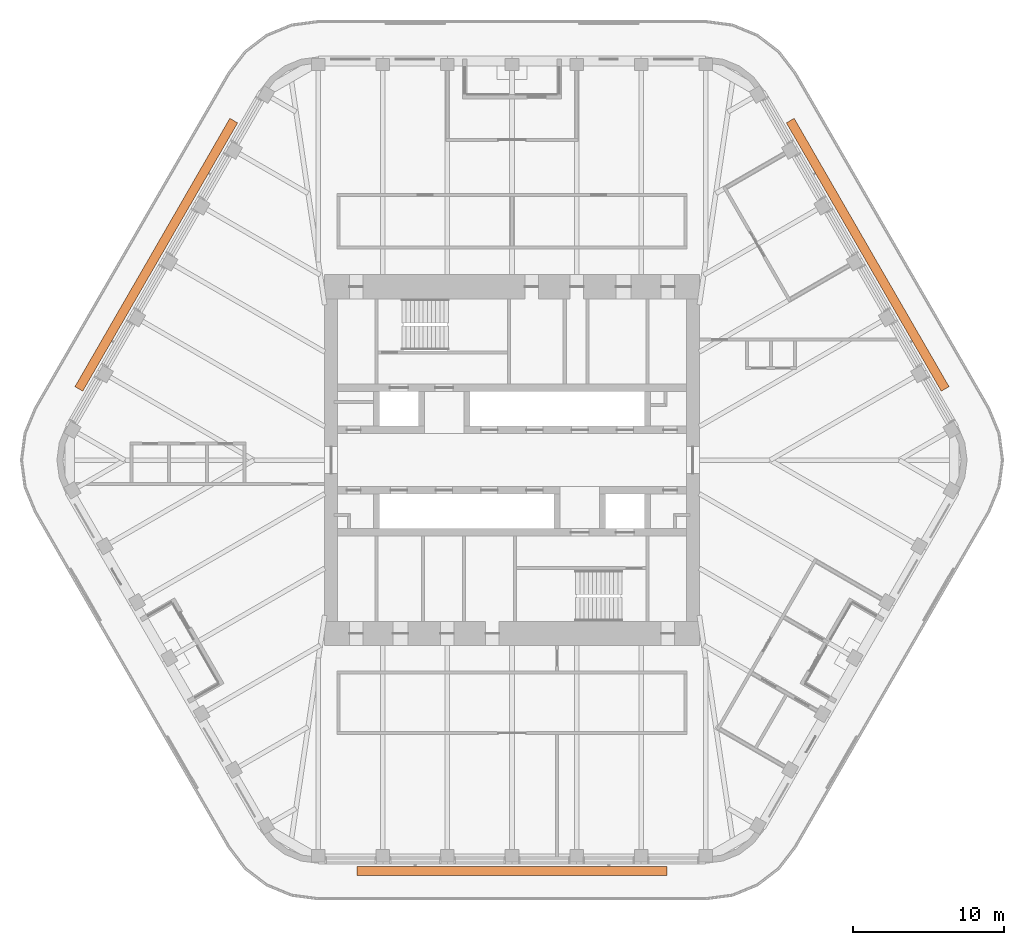
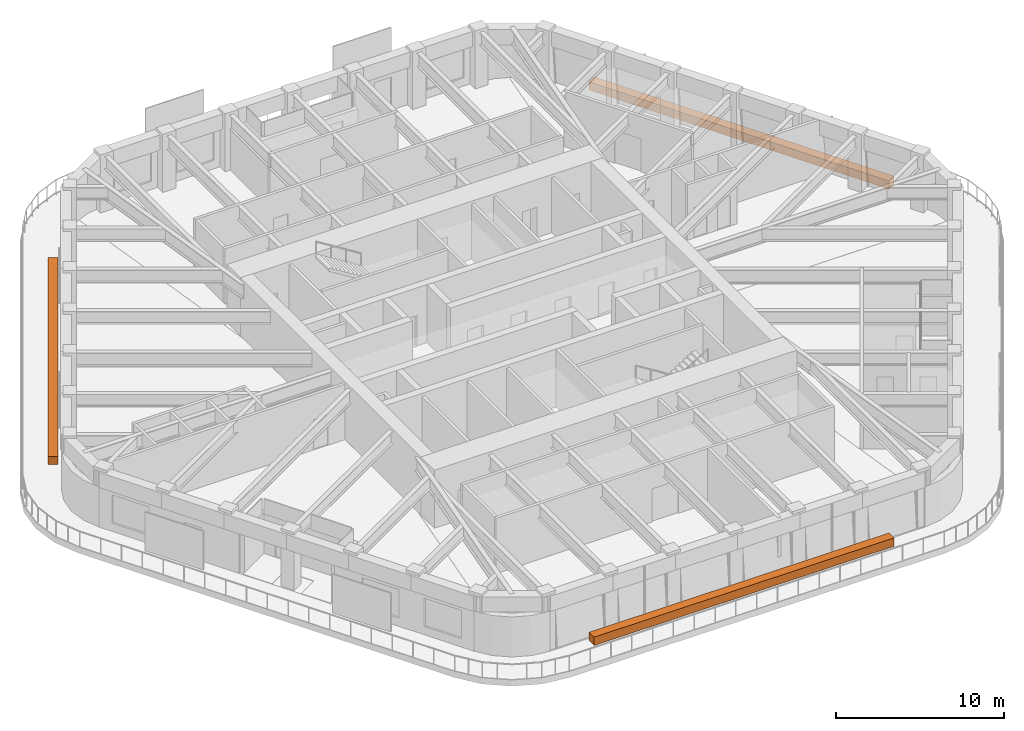
# One storey, part 19 of 19: 3 proxies.
"""IFC4 building model written with IfcOpenShell, lengths in metres."""

from ifc_helpers import new_model, si_unit, direction, frame, origin, origin_2d, place, context, subcontext, project, spatial, rectangle, extrude, material, element, save


model = new_model("IFC4")

# Units and contexts
model_context = context("Model", 3, precision=1e-05, world=origin(), true_north=direction((0.0, 1.0)))
body_context = subcontext(model_context, "Body", "Model", "MODEL_VIEW")
ifc_project = project(units=[si_unit("LENGTHUNIT", "METRE"), si_unit("AREAUNIT", "SQUARE_METRE"), si_unit("VOLUMEUNIT", "CUBIC_METRE"), si_unit("PLANEANGLEUNIT", "RADIAN"), si_unit("MASSUNIT", "GRAM", prefix="KILO")], contexts=[model_context])

# Site, building, storey
site_placement = place(None, origin())
site = spatial("IfcSite", under=ifc_project, at=site_placement, CompositionType="ELEMENT")
building_placement = place(site_placement, origin())
building = spatial("IfcBuilding", under=site, at=building_placement, Name="Tarfa Lantern Tower", CompositionType="ELEMENT")
storey_placement = place(building_placement, frame((0.0, 0.0, 353.5)))
storey = spatial("IfcBuildingStorey", under=building, at=storey_placement, Name="L80", CompositionType="ELEMENT", Elevation=353.5)

# Proxies
ifc_material = material(Name="Planting bed")
for number, where, z_axis, x_axis, name in (
    (1, (23.59912109375, 13.625, 0.0), (0.0, 0.0, 1.0), (-0.5, 0.866025403784, 0.0), "Balcony planter"),
    (2, (-23.59912109375, 13.625, 0.0), (0.0, 0.0, 1.0), (-0.5, -0.866025403784, 0.0), "Balcony planter"),
    (3, (0.0, -27.25, 0.0), (0.0, 0.0, 1.0), (1.0, 0.0, 0.0), "Balcony planter"),
):
    element("IfcBuildingElementProxy", number, at=place(storey_placement, frame(where, z_axis=z_axis, x_axis=x_axis)), inside=storey, material=ifc_material, Name=name, ObjectType="PLANTER", PredefinedType="USERDEFINED", context=body_context, shape_type="SweptSolid", body=[
        extrude(rectangle(XDim=20.5537109375, YDim=0.60009765625, at=origin_2d()), origin(), (0.0, 0.0, 1.0), 0.60009765625),
    ])

save(model, "model.ifc")
